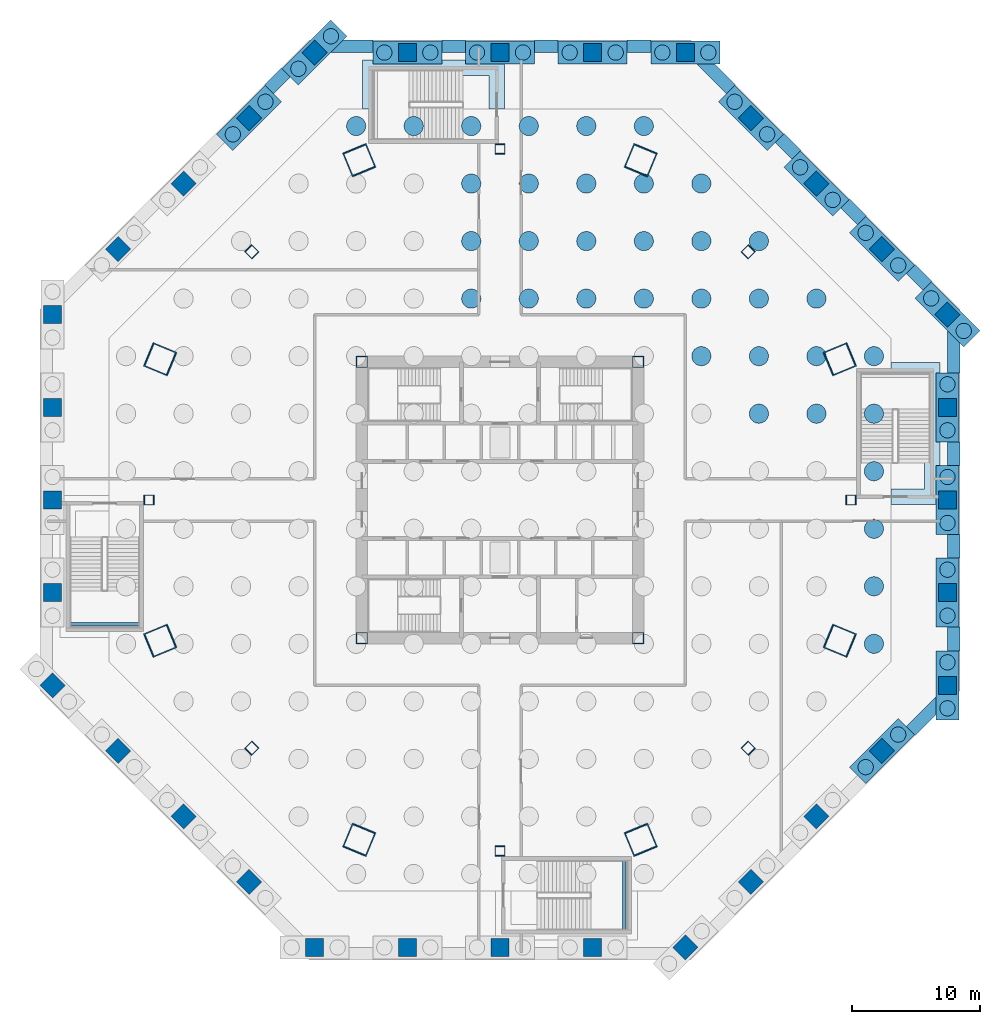
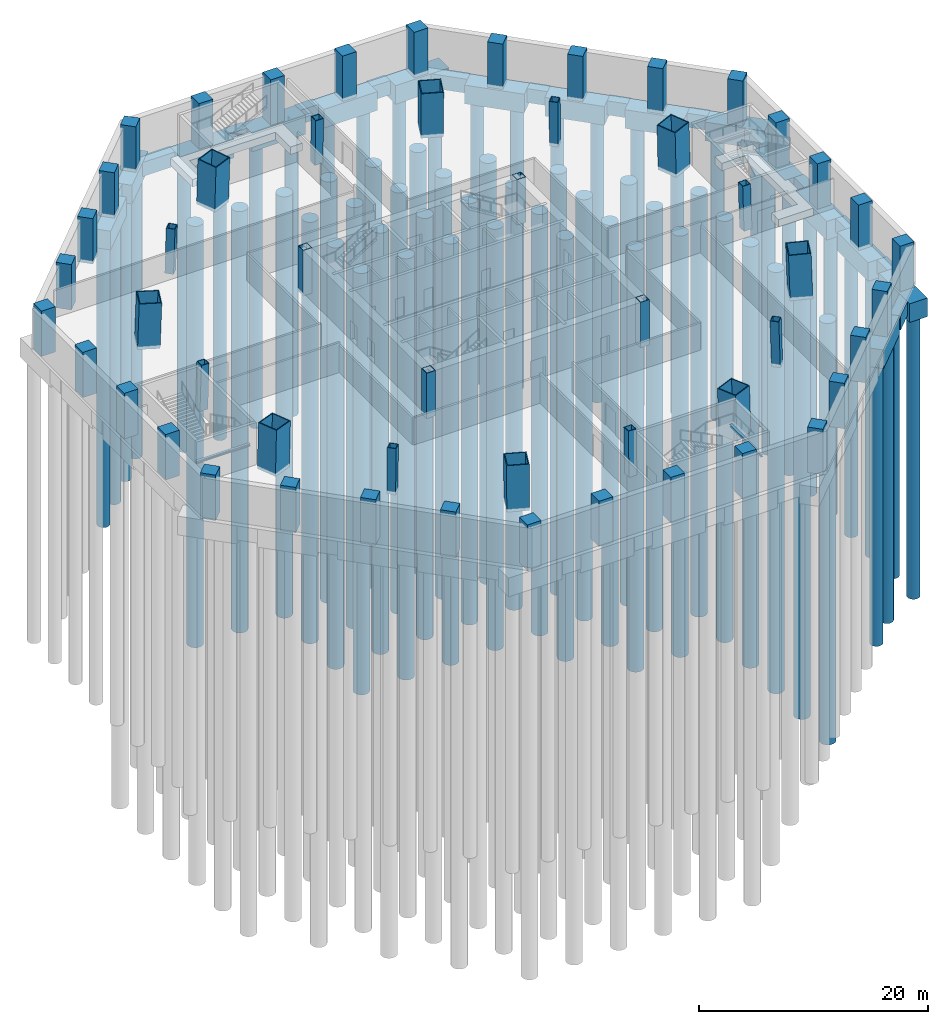
# One storey, part 2 of 11: 65 piles, 52 columns, 31 footings, 2 beams.
"""IFC4 building model written with IfcOpenShell, lengths in metres."""

import ifcopenshell
import ifcopenshell.guid

model = None  # the IFC model being written
_history = None  # IfcOwnerHistory: only IFC2X3 demands one
_inside = {}  # id of a spatial element -> (the spatial element, [elements in it])
_under = {}  # id of a project, library or spatial element -> (it, [spatial elements below it])
_declared = {}  # id of a project -> (the project, [libraries it declares])
_typed = {}  # id of a type object -> (the type object, [elements of that type])
_made_of = {}  # id of a material, layer set ... -> (it, [elements and type objects made of it])


def new_model(schema):
    """Start an empty IFC model of exactly this schema.

    Asked for "IFC4X3", IfcOpenShell would pick the latest addendum, in which some entities
    have other attributes; the version numbers below select the first issue.
    IFC2X3 requires an IfcOwnerHistory on every rooted entity: one is made here for all.
    """
    global model, _history
    if schema == "IFC4X3":
        model = ifcopenshell.file(schema_version=(4, 3, 0, 0))
    else:
        model = ifcopenshell.file(schema=schema)
    _inside.clear()
    _under.clear()
    _declared.clear()
    _typed.clear()
    _made_of.clear()
    _history = None
    if model.schema == "IFC2X3":
        org = make("IfcOrganization", Name="unknown")
        user = make(
            "IfcPersonAndOrganization",
            ThePerson=make("IfcPerson", FamilyName="unknown"),
            TheOrganization=org,
        )
        app = make(
            "IfcApplication",
            ApplicationDeveloper=org,
            Version="unknown",
            ApplicationFullName="unknown",
            ApplicationIdentifier="unknown",
        )
        _history = make(
            "IfcOwnerHistory",
            OwningUser=user,
            OwningApplication=app,
            ChangeAction="ADDED",
            CreationDate=0,
        )
    return model


def make(cls, **values):
    """One entity of the class cls with the attributes given. An attribute that is None is left unset."""
    return model.create_entity(
        cls, **{name: value for name, value in values.items() if value is not None}
    )


def rooted(cls, **values):
    """An entity with a GlobalId (a new one), such as an element, a storey or a relation."""
    return make(cls, GlobalId=ifcopenshell.guid.new(), OwnerHistory=_history, **values)


def si_unit(unit_type, name, prefix=None):
    """IfcSIUnit, for example si_unit("LENGTHUNIT", "METRE", prefix="MILLI")."""
    return make("IfcSIUnit", UnitType=unit_type, Prefix=prefix, Name=name)


def assignment(units):
    """IfcUnitAssignment: the units of a project."""
    return None if units is None else make("IfcUnitAssignment", Units=units)


def point(xyz):
    """IfcCartesianPoint."""
    return None if xyz is None else make("IfcCartesianPoint", Coordinates=xyz)


def direction(xyz):
    """IfcDirection."""
    return None if xyz is None else make("IfcDirection", DirectionRatios=xyz)


def frame(location, z_axis=None, x_axis=None):
    """IfcAxis2Placement3D, a coordinate frame: its origin and axes. An axis left out is left unset."""
    return make(
        "IfcAxis2Placement3D",
        Location=point(location),
        Axis=direction(z_axis),
        RefDirection=direction(x_axis),
    )


def frame_2d(location, x_axis=None):
    """IfcAxis2Placement2D, a coordinate frame in the plane: its origin and x axis."""
    return make(
        "IfcAxis2Placement2D", Location=point(location), RefDirection=direction(x_axis)
    )


def origin():
    """The frame at (0, 0, 0) with its axes left unset."""
    return frame((0.0, 0.0, 0.0))


def origin_2d():
    """The frame at (0, 0) in the plane with its x axis left unset."""
    return frame_2d((0.0, 0.0))


def place(relative_to, where):
    """IfcLocalPlacement: puts the frame where relative to a parent placement (None: the world)."""
    return make(
        "IfcLocalPlacement", PlacementRelTo=relative_to, RelativePlacement=where
    )


def context(
    kind, dimensions, precision=None, world=None, true_north=None, identifier=None
):
    """IfcGeometricRepresentationContext, for example the 3D "Model" context."""
    return make(
        "IfcGeometricRepresentationContext",
        ContextIdentifier=identifier,
        ContextType=kind,
        CoordinateSpaceDimension=dimensions,
        Precision=precision,
        WorldCoordinateSystem=world,
        TrueNorth=true_north,
    )


def subcontext(parent, identifier, kind, view, scale=None):
    """IfcGeometricRepresentationSubContext, for example "Body" below "Model"."""
    return make(
        "IfcGeometricRepresentationSubContext",
        ContextIdentifier=identifier,
        ContextType=kind,
        ParentContext=parent,
        TargetScale=scale,
        TargetView=view,
    )


def project(units=None, contexts=None):
    """IfcProject with its units and contexts."""
    return rooted(
        "IfcProject",
        Name="project",
        RepresentationContexts=contexts,
        UnitsInContext=assignment(units),
    )


def spatial(cls, under=None, at=None, **own):
    """A site, building, storey or space (cls), placed at a placement, below another one or the project."""
    s = rooted(cls, ObjectPlacement=at, **own)
    if under is not None:
        _under.setdefault(under.id(), (under, []))[1].append(s)
    return s


def polyline(points):
    """IfcPolyline through the points."""
    return make("IfcPolyline", Points=[point(p) for p in points])


def profile(cls, at=None, kind="AREA", **sizes):
    """A parametric profile (cls). Its sizes go by their IFC names, for example OverallWidth=200.0."""
    return make(cls, ProfileType=kind, Position=at, **sizes)


def rectangle(**sizes):
    """IfcRectangleProfileDef."""
    return profile("IfcRectangleProfileDef", **sizes)


def hollow_rectangle(**sizes):
    """IfcRectangleHollowProfileDef."""
    return profile("IfcRectangleHollowProfileDef", **sizes)


def circle(**sizes):
    """IfcCircleProfileDef."""
    return profile("IfcCircleProfileDef", **sizes)


def i_section(**sizes):
    """IfcIShapeProfileDef."""
    return profile("IfcIShapeProfileDef", **sizes)


def outline(outer, holes=None, kind="AREA"):
    """IfcArbitraryClosedProfileDef: a profile drawn as a closed curve; with holes, ...WithVoids."""
    if holes is None:
        return make("IfcArbitraryClosedProfileDef", ProfileType=kind, OuterCurve=outer)
    return make(
        "IfcArbitraryProfileDefWithVoids",
        ProfileType=kind,
        OuterCurve=outer,
        InnerCurves=holes,
    )


def extrude(swept, where, along, depth):
    """IfcExtrudedAreaSolid: the profile swept, set in the frame where, extruded along a direction by depth."""
    return make(
        "IfcExtrudedAreaSolid",
        SweptArea=swept,
        Position=where,
        ExtrudedDirection=direction(along),
        Depth=depth,
    )


def shape(context_of_items, identifier, shape_type, items):
    """IfcShapeRepresentation: the items that make up one representation, for example the "Body"."""
    return make(
        "IfcShapeRepresentation",
        ContextOfItems=context_of_items,
        RepresentationIdentifier=identifier,
        RepresentationType=shape_type,
        Items=items,
    )


def material(Name=None, Category=None):
    """IfcMaterial."""
    return make("IfcMaterial", Name=Name, Category=Category)


def layer(
    of_material, thickness, ventilated=None, Name=None, Category=None, Priority=None
):
    """IfcMaterialLayer: one layer of a wall or slab, of a material (None: an air gap)."""
    return make(
        "IfcMaterialLayer",
        Material=of_material,
        LayerThickness=thickness,
        IsVentilated=ventilated,
        Name=Name,
        Category=Category,
        Priority=Priority,
    )


def layer_set(layers, Name=None):
    """IfcMaterialLayerSet."""
    return make("IfcMaterialLayerSet", MaterialLayers=layers, LayerSetName=Name)


def material_profile(
    of_material, cross_section, Name=None, Category=None, Priority=None
):
    """IfcMaterialProfile: a cross section and its material."""
    return make(
        "IfcMaterialProfile",
        Name=Name,
        Material=of_material,
        Profile=cross_section,
        Priority=Priority,
        Category=Category,
    )


def profile_set(profiles, Name=None, composite=None):
    """IfcMaterialProfileSet."""
    return make(
        "IfcMaterialProfileSet",
        Name=Name,
        MaterialProfiles=profiles,
        CompositeProfile=composite,
    )


def made_of(thing, what):
    """Note that an element or type object is made of a material, layer set ...; save() writes the relation."""
    if what is not None:
        _made_of.setdefault(what.id(), (what, []))[1].append(thing)
    return thing


def type_object(cls, material=None, **own):
    """A type object (cls), such as IfcWallType, which elements share."""
    return made_of(rooted(cls, **own), material)


def element(
    cls,
    number,
    at=None,
    inside=None,
    cuts=None,
    type_object=None,
    material=None,
    context=None,
    identifier="Body",
    shape_type=None,
    held_by="IfcProductDefinitionShape",
    body=None,
    shapes=None,
    **own,
):
    """One element of the class cls, such as IfcWall. Its Tag is "e" and its number.

    at: its placement. inside: the storey or other place that contains it. cuts: it is an
    opening in that element (IfcRelVoidsElement). A single representation is given by context,
    identifier, shape_type and body (its items); several are given by shapes. held_by: the class
    of the entity that holds the representations. save() writes the other relations.
    """
    e = rooted(cls, Tag="e%d" % number, ObjectPlacement=at, **own)
    if body is not None:
        shapes = [shape(context, identifier, shape_type, body)]
    if shapes is not None:
        e.Representation = make(held_by, Representations=shapes)
    if inside is not None:
        _inside.setdefault(inside.id(), (inside, []))[1].append(e)
    if cuts is not None:
        rooted(
            "IfcRelVoidsElement", RelatingBuildingElement=cuts, RelatedOpeningElement=e
        )
    if type_object is not None:
        _typed.setdefault(type_object.id(), (type_object, []))[1].append(e)
    return made_of(e, material)


def aggregate(whole, parts):
    """IfcRelAggregates: a whole, such as a stair, and the parts it consists of."""
    return rooted("IfcRelAggregates", RelatingObject=whole, RelatedObjects=parts)


def save(model, path):
    """Write the relations noted so far, then the file.

    IfcRelAggregates (storeys below a building ...), IfcRelContainedInSpatialStructure (elements
    in a storey), IfcRelDefinesByType, IfcRelAssociatesMaterial and IfcRelDeclares: one each for
    every whole, place, type object, material and project.
    """
    for whole, parts in _under.values():
        aggregate(whole, parts)
    for where, things in _inside.values():
        rooted(
            "IfcRelContainedInSpatialStructure",
            RelatedElements=things,
            RelatingStructure=where,
        )
    for kind, things in _typed.values():
        rooted("IfcRelDefinesByType", RelatedObjects=things, RelatingType=kind)
    for what, things in _made_of.values():
        rooted("IfcRelAssociatesMaterial", RelatedObjects=things, RelatingMaterial=what)
    for by, libraries in _declared.values():
        rooted("IfcRelDeclares", RelatingContext=by, RelatedDefinitions=libraries)
    model.write(path)


model = new_model("IFC4")

# Units and contexts
model_context = context("Model", 3, precision=1e-05, world=origin(), true_north=direction((0.0, 1.0)))
body_context = subcontext(model_context, "Body", "Model", "MODEL_VIEW")
ifc_project = project(units=[si_unit("LENGTHUNIT", "METRE"), si_unit("AREAUNIT", "SQUARE_METRE"), si_unit("VOLUMEUNIT", "CUBIC_METRE"), si_unit("PLANEANGLEUNIT", "RADIAN"), si_unit("MASSUNIT", "GRAM", prefix="KILO")], contexts=[model_context])

# Site, building, storey
site_placement = place(None, origin())
site = spatial("IfcSite", under=ifc_project, at=site_placement, CompositionType="ELEMENT")
building_placement = place(site_placement, origin())
building = spatial("IfcBuilding", under=site, at=building_placement, Name="Mashrafa Tower", CompositionType="ELEMENT")
storey_placement = place(building_placement, frame((0.0, 0.0, -9.0)))
storey = spatial("IfcBuildingStorey", under=building, at=storey_placement, Name="B2", CompositionType="ELEMENT", Elevation=-9.0)

# Piles
ifc_material_1 = material(Name="Concrete C40/50", Category="concrete")
ifc_material_profile_1 = material_profile(ifc_material_1, circle(Radius=0.60009765625, at=origin_2d()), Name="1200 DIA")
ifc_profile_set_1 = profile_set([ifc_material_profile_1], Name="Concrete C40/50")
pile_type_1 = type_object("IfcPileType", Name="Bored pile 1200", PredefinedType="BORED", material=ifc_profile_set_1)
for number, where, z_axis, x_axis, name in (
    (1, (35.0, -16.29736328125, -2.35009765625), (0.0, 0.0, -1.0), (1.0, 0.0, 0.0), "Pile PC01-1"),
    (2, (35.0, -12.697509765625, -2.35009765625), (0.0, 0.0, -1.0), (1.0, 0.0, 0.0), "Pile PC01-2"),
    (3, (35.0, -9.048828125, -2.35009765625), (0.0, 0.0, -1.0), (1.0, 0.0, 0.0), "Pile PC02-1"),
    (4, (35.0, -5.44873046875, -2.35009765625), (0.0, 0.0, -1.0), (1.0, 0.0, 0.0), "Pile PC02-2"),
    (5, (35.0, -1.800048828125, -2.35009765625), (0.0, 0.0, -1.0), (1.0, 0.0, 0.0), "Pile PC03-1"),
    (6, (35.0, 1.800048828125, -2.35009765625), (0.0, 0.0, -1.0), (1.0, 0.0, 0.0), "Pile PC03-2"),
    (7, (35.0, 5.44873046875, -2.35009765625), (0.0, 0.0, -1.0), (1.0, 0.0, 0.0), "Pile PC04-1"),
    (8, (35.0, 9.048828125, -2.35009765625), (0.0, 0.0, -1.0), (1.0, 0.0, 0.0), "Pile PC04-2"),
    (9, (36.272705078125, 13.224609375, -2.35009765625), (0.0, 0.0, -1.0), (1.0, 0.0, 0.0), "Pile PC05-1"),
    (10, (33.727294921875, 15.770263671875, -2.35009765625), (0.0, 0.0, -1.0), (1.0, 0.0, 0.0), "Pile PC05-2"),
    (11, (31.147216796875, 18.350341796875, -2.35009765625), (0.0, 0.0, -1.0), (1.0, 0.0, 0.0), "Pile PC06-1"),
    (12, (28.6015625, 20.89599609375, -2.35009765625), (0.0, 0.0, -1.0), (1.0, 0.0, 0.0), "Pile PC06-2"),
    (13, (26.021484375, 23.475830078125, -2.35009765625), (0.0, 0.0, -1.0), (1.0, 0.0, 0.0), "Pile PC07-1"),
    (14, (23.475830078125, 26.021484375, -2.35009765625), (0.0, 0.0, -1.0), (1.0, 0.0, 0.0), "Pile PC07-2"),
    (15, (20.89599609375, 28.6015625, -2.35009765625), (0.0, 0.0, -1.0), (1.0, 0.0, 0.0), "Pile PC08-1"),
    (16, (18.350341796875, 31.147216796875, -2.35009765625), (0.0, 0.0, -1.0), (1.0, 0.0, 0.0), "Pile PC08-2"),
    (17, (16.29736328125, 35.0, -2.35009765625), (0.0, 0.0, -1.0), (1.0, 0.0, 0.0), "Pile PC09-1"),
    (18, (12.697509765625, 35.0, -2.35009765625), (0.0, 0.0, -1.0), (1.0, 0.0, 0.0), "Pile PC09-2"),
    (19, (9.048828125, 35.0, -2.35009765625), (0.0, 0.0, -1.0), (1.0, 0.0, 0.0), "Pile PC10-1"),
    (20, (5.44873046875, 35.0, -2.35009765625), (0.0, 0.0, -1.0), (1.0, 0.0, 0.0), "Pile PC10-2"),
    (21, (1.800048828125, 35.0, -2.35009765625), (0.0, 0.0, -1.0), (1.0, 0.0, 0.0), "Pile PC11-1"),
    (22, (-1.800048828125, 35.0, -2.35009765625), (0.0, 0.0, -1.0), (1.0, 0.0, 0.0), "Pile PC11-2"),
    (23, (-5.44873046875, 35.0, -2.35009765625), (0.0, 0.0, -1.0), (1.0, 0.0, 0.0), "Pile PC12-1"),
    (24, (-9.048828125, 35.0, -2.35009765625), (0.0, 0.0, -1.0), (1.0, 0.0, 0.0), "Pile PC12-2"),
    (25, (-13.224609375, 36.272705078125, -2.35009765625), (0.0, 0.0, -1.0), (1.0, 0.0, 0.0), "Pile PC13-1"),
    (26, (-15.770263671875, 33.727294921875, -2.35009765625), (0.0, 0.0, -1.0), (1.0, 0.0, 0.0), "Pile PC13-2"),
    (27, (-18.350341796875, 31.147216796875, -2.35009765625), (0.0, 0.0, -1.0), (1.0, 0.0, 0.0), "Pile PC14-1"),
    (28, (-20.89599609375, 28.6015625, -2.35009765625), (0.0, 0.0, -1.0), (1.0, 0.0, 0.0), "Pile PC14-2"),
    (29, (28.6015625, -20.89599609375, -2.35009765625), (0.0, 0.0, -1.0), (1.0, 0.0, 0.0), "Pile PC32-1"),
    (30, (31.147216796875, -18.350341796875, -2.35009765625), (0.0, 0.0, -1.0), (1.0, 0.0, 0.0), "Pile PC32-2"),
):
    element("IfcPile", number, at=place(storey_placement, frame(where, z_axis=z_axis, x_axis=x_axis)), inside=storey, type_object=pile_type_1, Name=name, PredefinedType="BORED", context=body_context, shape_type="SweptSolid", body=[
        extrude(circle(Radius=0.60009765625, at=origin_2d()), origin(), (0.0, 0.0, 1.0), 30.0),
    ])
ifc_material_2 = material(Name="Concrete C40/50", Category="concrete")
ifc_material_profile_2 = material_profile(ifc_material_2, circle(Radius=0.75, at=origin_2d()), Name="1500 DIA")
ifc_profile_set_2 = profile_set([ifc_material_profile_2], Name="Concrete C40/50")
pile_type_2 = type_object("IfcPileType", Name="Bored pile 1500", PredefinedType="BORED", material=ifc_profile_set_2)
for number, where, z_axis, x_axis, name in (
    (31, (29.25, -11.25, -3.85009765625), (0.0, 0.0, -1.0), (1.0, 0.0, 0.0), "Raft pile 050"),
    (32, (29.25, -6.75, -3.85009765625), (0.0, 0.0, -1.0), (1.0, 0.0, 0.0), "Raft pile 064"),
    (33, (29.25, -2.25, -3.85009765625), (0.0, 0.0, -1.0), (1.0, 0.0, 0.0), "Raft pile 078"),
    (34, (29.25, 2.25, -3.85009765625), (0.0, 0.0, -1.0), (1.0, 0.0, 0.0), "Raft pile 092"),
    (35, (20.25, 6.75, -3.85009765625), (0.0, 0.0, -1.0), (1.0, 0.0, 0.0), "Raft pile 104"),
    (36, (24.75, 6.75, -3.85009765625), (0.0, 0.0, -1.0), (1.0, 0.0, 0.0), "Raft pile 105"),
    (37, (29.25, 6.75, -3.85009765625), (0.0, 0.0, -1.0), (1.0, 0.0, 0.0), "Raft pile 106"),
    (38, (15.75, 11.25, -3.85009765625), (0.0, 0.0, -1.0), (1.0, 0.0, 0.0), "Raft pile 117"),
    (39, (20.25, 11.25, -3.85009765625), (0.0, 0.0, -1.0), (1.0, 0.0, 0.0), "Raft pile 118"),
    (40, (24.75, 11.25, -3.85009765625), (0.0, 0.0, -1.0), (1.0, 0.0, 0.0), "Raft pile 119"),
    (41, (29.25, 11.25, -3.85009765625), (0.0, 0.0, -1.0), (1.0, 0.0, 0.0), "Raft pile 120"),
    (42, (-2.25, 15.75, -3.85009765625), (0.0, 0.0, -1.0), (1.0, 0.0, 0.0), "Raft pile 126"),
    (43, (2.25, 15.75, -3.85009765625), (0.0, 0.0, -1.0), (1.0, 0.0, 0.0), "Raft pile 127"),
    (44, (6.75, 15.75, -3.85009765625), (0.0, 0.0, -1.0), (1.0, 0.0, 0.0), "Raft pile 128"),
    (45, (11.25, 15.75, -3.85009765625), (0.0, 0.0, -1.0), (1.0, 0.0, 0.0), "Raft pile 129"),
    (46, (15.75, 15.75, -3.85009765625), (0.0, 0.0, -1.0), (1.0, 0.0, 0.0), "Raft pile 130"),
    (47, (20.25, 15.75, -3.85009765625), (0.0, 0.0, -1.0), (1.0, 0.0, 0.0), "Raft pile 131"),
    (48, (24.75, 15.75, -3.85009765625), (0.0, 0.0, -1.0), (1.0, 0.0, 0.0), "Raft pile 132"),
    (49, (-2.25, 20.25, -3.85009765625), (0.0, 0.0, -1.0), (1.0, 0.0, 0.0), "Raft pile 137"),
    (50, (2.25, 20.25, -3.85009765625), (0.0, 0.0, -1.0), (1.0, 0.0, 0.0), "Raft pile 138"),
    (51, (6.75, 20.25, -3.85009765625), (0.0, 0.0, -1.0), (1.0, 0.0, 0.0), "Raft pile 139"),
    (52, (11.25, 20.25, -3.85009765625), (0.0, 0.0, -1.0), (1.0, 0.0, 0.0), "Raft pile 140"),
    (53, (15.75, 20.25, -3.85009765625), (0.0, 0.0, -1.0), (1.0, 0.0, 0.0), "Raft pile 141"),
    (54, (20.25, 20.25, -3.85009765625), (0.0, 0.0, -1.0), (1.0, 0.0, 0.0), "Raft pile 142"),
    (55, (-2.25, 24.75, -3.85009765625), (0.0, 0.0, -1.0), (1.0, 0.0, 0.0), "Raft pile 146"),
    (56, (2.25, 24.75, -3.85009765625), (0.0, 0.0, -1.0), (1.0, 0.0, 0.0), "Raft pile 147"),
    (57, (6.75, 24.75, -3.85009765625), (0.0, 0.0, -1.0), (1.0, 0.0, 0.0), "Raft pile 148"),
    (58, (11.25, 24.75, -3.85009765625), (0.0, 0.0, -1.0), (1.0, 0.0, 0.0), "Raft pile 149"),
    (59, (15.75, 24.75, -3.85009765625), (0.0, 0.0, -1.0), (1.0, 0.0, 0.0), "Raft pile 150"),
    (60, (-11.25, 29.25, -3.85009765625), (0.0, 0.0, -1.0), (1.0, 0.0, 0.0), "Raft pile 151"),
    (61, (-6.75, 29.25, -3.85009765625), (0.0, 0.0, -1.0), (1.0, 0.0, 0.0), "Raft pile 152"),
    (62, (-2.25, 29.25, -3.85009765625), (0.0, 0.0, -1.0), (1.0, 0.0, 0.0), "Raft pile 153"),
    (63, (2.25, 29.25, -3.85009765625), (0.0, 0.0, -1.0), (1.0, 0.0, 0.0), "Raft pile 154"),
    (64, (6.75, 29.25, -3.85009765625), (0.0, 0.0, -1.0), (1.0, 0.0, 0.0), "Raft pile 155"),
    (65, (11.25, 29.25, -3.85009765625), (0.0, 0.0, -1.0), (1.0, 0.0, 0.0), "Raft pile 156"),
):
    element("IfcPile", number, at=place(storey_placement, frame(where, z_axis=z_axis, x_axis=x_axis)), inside=storey, type_object=pile_type_2, Name=name, PredefinedType="BORED", context=body_context, shape_type="SweptSolid", body=[
        extrude(circle(Radius=0.75, at=origin_2d()), origin(), (0.0, 0.0, 1.0), 45.0),
    ])

# Footings
ifc_material_3 = material(Name="Concrete C40/50", Category="concrete")
footing_type_1 = type_object("IfcFootingType", Name="Ground beam 1000x1500", PredefinedType="STRIP_FOOTING", material=ifc_material_3)
footing_1_placement = place(storey_placement, frame((0.0, 0.0, -1.85009765625)))
element("IfcFooting", 66, at=footing_1_placement, inside=storey, type_object=footing_type_1, Name="Perimeter ground beam east face 1", PredefinedType="STRIP_FOOTING", context=body_context, shape_type="SweptSolid", body=[
    extrude(outline(polyline([(35.0, -9.94873046875), (36.0, -9.94873046875), (36.0, -11.79736328125), (35.0, -11.79736328125), (35.0, -9.94873046875)])), origin(), (0.0, 0.0, 1.0), 1.5),
])
footing_2_placement = place(storey_placement, frame((0.0, 0.0, -1.85009765625)))
element("IfcFooting", 67, at=footing_2_placement, inside=storey, type_object=footing_type_1, Name="Perimeter ground beam east face 2", PredefinedType="STRIP_FOOTING", context=body_context, shape_type="SweptSolid", body=[
    extrude(outline(polyline([(35.0, -2.699951171875), (36.0, -2.699951171875), (36.0, -4.548828125), (35.0, -4.548828125), (35.0, -2.699951171875)])), origin(), (0.0, 0.0, 1.0), 1.5),
])
footing_3_placement = place(storey_placement, frame((0.0, 0.0, -1.85009765625)))
element("IfcFooting", 68, at=footing_3_placement, inside=storey, type_object=footing_type_1, Name="Perimeter ground beam east face 3", PredefinedType="STRIP_FOOTING", context=body_context, shape_type="SweptSolid", body=[
    extrude(outline(polyline([(35.0, 4.548828125), (36.0, 4.548828125), (36.0, 2.699951171875), (35.0, 2.699951171875), (35.0, 4.548828125)])), origin(), (0.0, 0.0, 1.0), 1.5),
])
footing_4_placement = place(storey_placement, frame((0.0, 0.0, -1.85009765625)))
element("IfcFooting", 69, at=footing_4_placement, inside=storey, type_object=footing_type_1, Name="Perimeter ground beam east face 4", PredefinedType="STRIP_FOOTING", context=body_context, shape_type="SweptSolid", body=[
    extrude(outline(polyline([(35.0, 13.224609375), (36.0, 12.224609375), (36.0, 9.94873046875), (35.0, 9.94873046875), (35.0, 13.224609375)])), origin(), (0.0, 0.0, 1.0), 1.5),
])
footing_5_placement = place(storey_placement, frame((0.0, 0.0, -1.85009765625)))
element("IfcFooting", 70, at=footing_5_placement, inside=storey, type_object=footing_type_1, Name="Perimeter ground beam north-east face 1", PredefinedType="STRIP_FOOTING", context=body_context, shape_type="SweptSolid", body=[
    extrude(outline(polyline([(31.783447265625, 17.7138671875), (32.49072265625, 18.421142578125), (33.7978515625, 17.11376953125), (33.0908203125, 16.40673828125), (31.783447265625, 17.7138671875)])), origin(), (0.0, 0.0, 1.0), 1.5),
])
footing_6_placement = place(storey_placement, frame((0.0, 0.0, -1.85009765625)))
element("IfcFooting", 71, at=footing_6_placement, inside=storey, type_object=footing_type_1, Name="Perimeter ground beam north-east face 2", PredefinedType="STRIP_FOOTING", context=body_context, shape_type="SweptSolid", body=[
    extrude(outline(polyline([(26.657958984375, 22.839599609375), (27.364990234375, 23.546630859375), (28.67236328125, 22.239501953125), (27.965087890625, 21.5322265625), (26.657958984375, 22.839599609375)])), origin(), (0.0, 0.0, 1.0), 1.5),
])
footing_7_placement = place(storey_placement, frame((0.0, 0.0, -1.85009765625)))
element("IfcFooting", 72, at=footing_7_placement, inside=storey, type_object=footing_type_1, Name="Perimeter ground beam north-east face 3", PredefinedType="STRIP_FOOTING", context=body_context, shape_type="SweptSolid", body=[
    extrude(outline(polyline([(21.5322265625, 27.965087890625), (22.239501953125, 28.67236328125), (23.546630859375, 27.364990234375), (22.839599609375, 26.657958984375), (21.5322265625, 27.965087890625)])), origin(), (0.0, 0.0, 1.0), 1.5),
])
footing_8_placement = place(storey_placement, frame((0.0, 0.0, -1.85009765625)))
element("IfcFooting", 73, at=footing_8_placement, inside=storey, type_object=footing_type_1, Name="Perimeter ground beam north-east face 4", PredefinedType="STRIP_FOOTING", context=body_context, shape_type="SweptSolid", body=[
    extrude(outline(polyline([(15.3974609375, 34.10009765625), (16.811767578125, 34.10009765625), (18.421142578125, 32.49072265625), (17.7138671875, 31.783447265625), (15.3974609375, 34.10009765625)])), origin(), (0.0, 0.0, 1.0), 1.5),
])
footing_9_placement = place(storey_placement, frame((0.0, 0.0, -1.85009765625)))
element("IfcFooting", 74, at=footing_9_placement, inside=storey, type_object=footing_type_1, Name="Perimeter ground beam north face 1", PredefinedType="STRIP_FOOTING", context=body_context, shape_type="SweptSolid", body=[
    extrude(outline(polyline([(9.94873046875, 35.0), (9.94873046875, 36.0), (11.79736328125, 36.0), (11.79736328125, 35.0), (9.94873046875, 35.0)])), origin(), (0.0, 0.0, 1.0), 1.5),
])
footing_10_placement = place(storey_placement, frame((0.0, 0.0, -1.85009765625)))
element("IfcFooting", 75, at=footing_10_placement, inside=storey, type_object=footing_type_1, Name="Perimeter ground beam north face 2", PredefinedType="STRIP_FOOTING", context=body_context, shape_type="SweptSolid", body=[
    extrude(outline(polyline([(2.699951171875, 35.0), (2.699951171875, 36.0), (4.548828125, 36.0), (4.548828125, 35.0), (2.699951171875, 35.0)])), origin(), (0.0, 0.0, 1.0), 1.5),
])
footing_11_placement = place(storey_placement, frame((0.0, 0.0, -1.85009765625)))
element("IfcFooting", 76, at=footing_11_placement, inside=storey, type_object=footing_type_1, Name="Perimeter ground beam north face 3", PredefinedType="STRIP_FOOTING", context=body_context, shape_type="SweptSolid", body=[
    extrude(outline(polyline([(-4.548828125, 35.0), (-4.548828125, 36.0), (-2.699951171875, 36.0), (-2.699951171875, 35.0), (-4.548828125, 35.0)])), origin(), (0.0, 0.0, 1.0), 1.5),
])
footing_12_placement = place(storey_placement, frame((0.0, 0.0, -1.85009765625)))
element("IfcFooting", 77, at=footing_12_placement, inside=storey, type_object=footing_type_1, Name="Perimeter ground beam north face 4", PredefinedType="STRIP_FOOTING", context=body_context, shape_type="SweptSolid", body=[
    extrude(outline(polyline([(-13.224609375, 35.0), (-12.224609375, 36.0), (-9.94873046875, 36.0), (-9.94873046875, 35.0), (-13.224609375, 35.0)])), origin(), (0.0, 0.0, 1.0), 1.5),
])
footing_13_placement = place(storey_placement, frame((0.0, 0.0, -1.85009765625)))
element("IfcFooting", 78, at=footing_13_placement, inside=storey, type_object=footing_type_1, Name="Perimeter ground beam north-west face 1", PredefinedType="STRIP_FOOTING", context=body_context, shape_type="SweptSolid", body=[
    extrude(outline(polyline([(-17.7138671875, 31.783447265625), (-18.421142578125, 32.49072265625), (-17.11376953125, 33.7978515625), (-16.40673828125, 33.0908203125), (-17.7138671875, 31.783447265625)])), origin(), (0.0, 0.0, 1.0), 1.5),
])
footing_14_placement = place(storey_placement, frame((0.0, 0.0, -1.85009765625)))
element("IfcFooting", 79, at=footing_14_placement, inside=storey, type_object=footing_type_1, Name="Perimeter ground beam south-east face 4", PredefinedType="STRIP_FOOTING", context=body_context, shape_type="SweptSolid", body=[
    extrude(outline(polyline([(34.10009765625, -15.3974609375), (34.10009765625, -16.811767578125), (32.49072265625, -18.421142578125), (31.783447265625, -17.7138671875), (34.10009765625, -15.3974609375)])), origin(), (0.0, 0.0, 1.0), 1.5),
])
ifc_material_4 = material(Name="Concrete C40/50", Category="concrete")
footing_type_2 = type_object("IfcFootingType", Name="Pile cap PC2", PredefinedType="PILE_CAP", material=ifc_material_4)
for number, where, z_axis, x_axis, name in (
    (80, (35.0, -14.49755859375, -2.35009765625), (0.0, 0.0, 1.0), (0.0, 1.0, 0.0), "Pile cap PC01"),
    (81, (35.0, -7.248779296875, -2.35009765625), (0.0, 0.0, 1.0), (0.0, 1.0, 0.0), "Pile cap PC02"),
    (82, (35.0, 0.0, -2.35009765625), (0.0, 0.0, 1.0), (0.0, 1.0, 0.0), "Pile cap PC03"),
    (83, (35.0, 7.248779296875, -2.35009765625), (0.0, 0.0, 1.0), (0.0, 1.0, 0.0), "Pile cap PC04"),
    (84, (35.0, 14.49755859375, -2.35009765625), (0.0, 0.0, 1.0), (-0.707106781187, 0.707106781187, 0.0), "Pile cap PC05"),
    (85, (29.874267578125, 19.623046875, -2.35009765625), (0.0, 0.0, 1.0), (-0.707106781187, 0.707106781187, 0.0), "Pile cap PC06"),
    (86, (24.748779296875, 24.748779296875, -2.35009765625), (0.0, 0.0, 1.0), (-0.707106781187, 0.707106781187, 0.0), "Pile cap PC07"),
    (87, (19.623046875, 29.874267578125, -2.35009765625), (0.0, 0.0, 1.0), (-0.707106781187, 0.707106781187, 0.0), "Pile cap PC08"),
    (88, (14.49755859375, 35.0, -2.35009765625), (0.0, 0.0, 1.0), (-1.0, 0.0, 0.0), "Pile cap PC09"),
    (89, (7.248779296875, 35.0, -2.35009765625), (0.0, 0.0, 1.0), (-1.0, 0.0, 0.0), "Pile cap PC10"),
    (90, (0.0, 35.0, -2.35009765625), (0.0, 0.0, 1.0), (-1.0, 0.0, 0.0), "Pile cap PC11"),
    (91, (-7.248779296875, 35.0, -2.35009765625), (0.0, 0.0, 1.0), (-1.0, 0.0, 0.0), "Pile cap PC12"),
    (92, (-14.49755859375, 35.0, -2.35009765625), (0.0, 0.0, 1.0), (-0.707106781187, -0.707106781187, 0.0), "Pile cap PC13"),
    (93, (-19.623046875, 29.874267578125, -2.35009765625), (0.0, 0.0, 1.0), (-0.707106781187, -0.707106781187, 0.0), "Pile cap PC14"),
    (94, (29.874267578125, -19.623046875, -2.35009765625), (0.0, 0.0, 1.0), (0.707106781187, 0.707106781187, 0.0), "Pile cap PC32"),
):
    element("IfcFooting", number, at=place(storey_placement, frame(where, z_axis=z_axis, x_axis=x_axis)), inside=storey, type_object=footing_type_2, Name=name, PredefinedType="PILE_CAP", context=body_context, shape_type="SweptSolid", body=[
        extrude(rectangle(XDim=5.39990234375, YDim=1.800048828125, at=origin_2d()), origin(), (0.0, 0.0, 1.0), 2.0),
    ])
ifc_material_5 = material(Name="Concrete C40/50", Category="concrete")
ifc_layer = layer(ifc_material_5, 0.800048828125)
ifc_layer_set = layer_set([ifc_layer], Name="Strip footing 1200x800")
footing_type_3 = type_object("IfcFootingType", Name="Strip footing 1200x800", PredefinedType="STRIP_FOOTING", material=ifc_layer_set)
footing_15_placement = place(storey_placement, frame((0.0, 0.0, -1.14990234375)))
element("IfcFooting", 95, at=footing_15_placement, inside=storey, type_object=footing_type_3, Name="Stair P1 core strip footing 1", PredefinedType="STRIP_FOOTING", context=body_context, shape_type="SweptSolid", body=[
    extrude(outline(polyline([(34.39990234375, 10.75), (34.39990234375, 9.94970703125), (34.10009765625, 9.94970703125), (34.099365234375, 9.949462890625), (34.09912109375, 9.94873046875), (34.09912109375, 4.548583984375), (34.099365234375, 4.5478515625), (34.10009765625, 4.5478515625), (34.39990234375, 4.5478515625), (34.39990234375, 2.700927734375), (34.10009765625, 2.700927734375), (34.099365234375, 2.70068359375), (34.09912109375, 2.7001953125), (34.09912109375, -0.35009765625), (30.580322265625, -0.35009765625), (30.580322265625, 0.85009765625), (33.199951171875, 0.85009765625), (33.199951171875, 9.550048828125), (30.580322265625, 9.550048828125), (30.580322265625, 10.75), (34.39990234375, 10.75)])), origin(), (0.0, 0.0, 1.0), 0.7998046875),
])
footing_16_placement = place(storey_placement, frame((0.0, 0.0, -1.14990234375)))
element("IfcFooting", 96, at=footing_16_placement, inside=storey, type_object=footing_type_3, Name="Stair P2 core strip footing 1", PredefinedType="STRIP_FOOTING", context=body_context, shape_type="SweptSolid", body=[
    extrude(outline(polyline([(-10.75, 34.39990234375), (-9.94970703125, 34.39990234375), (-9.94970703125, 34.10009765625), (-9.949462890625, 34.099365234375), (-9.94873046875, 34.09912109375), (-4.548583984375, 34.09912109375), (-4.5478515625, 34.099365234375), (-4.5478515625, 34.10009765625), (-4.5478515625, 34.39990234375), (-2.700927734375, 34.39990234375), (-2.700927734375, 34.10009765625), (-2.70068359375, 34.099365234375), (-2.7001953125, 34.09912109375), (0.35009765625, 34.09912109375), (0.35009765625, 30.580322265625), (-0.85009765625, 30.580322265625), (-0.85009765625, 33.199951171875), (-9.550048828125, 33.199951171875), (-9.550048828125, 30.580322265625), (-10.75, 30.580322265625), (-10.75, 34.39990234375)])), origin(), (0.0, 0.0, 1.0), 0.7998046875),
])

# Columns
ifc_material_6 = material(Name="Steel ASTM A572 Gr 50", Category="steel")
ifc_material_profile_3 = material_profile(ifc_material_6, hollow_rectangle(XDim=0.89990234375, YDim=0.89990234375, WallThickness=0.06005859375, at=origin_2d()), Name="BOX900X900X60")
ifc_profile_set_3 = profile_set([ifc_material_profile_3], Name="Steel ASTM A572 Gr 50")
column_type_1 = type_object("IfcColumnType", Name="Core corner column BOX900X900X60", PredefinedType="COLUMN", material=ifc_profile_set_3)
for number, where, z_axis, x_axis, name in (
    (97, (10.800048828125, 10.800048828125, -0.35009765625), (0.0, 0.0, 1.0), (1.0, 0.0, 0.0), "Core corner column CC-NE B2"),
    (98, (-10.800048828125, 10.800048828125, -0.35009765625), (0.0, 0.0, 1.0), (1.0, 0.0, 0.0), "Core corner column CC-NW B2"),
    (99, (-10.800048828125, -10.800048828125, -0.35009765625), (0.0, 0.0, 1.0), (1.0, 0.0, 0.0), "Core corner column CC-SW B2"),
    (100, (10.800048828125, -10.800048828125, -0.35009765625), (0.0, 0.0, 1.0), (1.0, 0.0, 0.0), "Core corner column CC-SE B2"),
):
    element("IfcColumn", number, at=place(storey_placement, frame(where, z_axis=z_axis, x_axis=x_axis)), inside=storey, type_object=column_type_1, Name=name, PredefinedType="COLUMN", context=body_context, shape_type="SweptSolid", body=[
        extrude(hollow_rectangle(XDim=0.89990234375, YDim=0.89990234375, WallThickness=0.06005859375, at=origin_2d()), origin(), (0.0, 0.0, 1.0), 4.85009765625),
    ])
ifc_material_7 = material(Name="Steel ASTM A572 Gr 50", Category="steel")
ifc_material_profile_4 = material_profile(ifc_material_7, hollow_rectangle(XDim=2.0, YDim=2.0, WallThickness=0.090087890625, at=origin_2d()), Name="BOX2000X2000X90")
ifc_profile_set_4 = profile_set([ifc_material_profile_4], Name="Steel ASTM A572 Gr 50")
column_type_2 = type_object("IfcColumnType", Name="Mega column CFST BOX2000X2000X90", PredefinedType="COLUMN", material=ifc_profile_set_4)
for number, where, z_axis, x_axis, name in (
    (101, (26.60107421875, 11.0185546875, -0.35009765625), (-0.02827628346, -0.011723085491, 0.999531400737), (0.382980813568, -0.923756297104, 0.0), "Mega column MC1 B2"),
    (102, (11.0185546875, 26.60107421875, -0.35009765625), (-0.011723085491, -0.02827628346, 0.999531400737), (0.923756297104, -0.382980813568, 0.0), "Mega column MC2 B2"),
    (103, (-11.0185546875, 26.60107421875, -0.35009765625), (0.011723085491, -0.02827628346, 0.999531400737), (0.923756297104, 0.382980813568, 0.0), "Mega column MC3 B2"),
    (104, (-26.60107421875, 11.0185546875, -0.35009765625), (0.02827628346, -0.011723085491, 0.999531400737), (0.382980813568, 0.923756297104, 0.0), "Mega column MC4 B2"),
    (105, (-26.60107421875, -11.0185546875, -0.35009765625), (0.02827628346, 0.011723085491, 0.999531400737), (-0.382980813568, 0.923756297104, 0.0), "Mega column MC5 B2"),
    (106, (-11.0185546875, -26.60107421875, -0.35009765625), (0.011723085491, 0.02827628346, 0.999531400737), (-0.923756297104, 0.382980813568, 0.0), "Mega column MC6 B2"),
    (107, (11.0185546875, -26.60107421875, -0.35009765625), (-0.011723085491, 0.02827628346, 0.999531400737), (-0.923756297104, -0.382980813568, 0.0), "Mega column MC7 B2"),
    (108, (26.60107421875, -11.0185546875, -0.35009765625), (-0.02827628346, 0.011723085491, 0.999531400737), (-0.382980813568, -0.923756297104, 0.0), "Mega column MC8 B2"),
):
    element("IfcColumn", number, at=place(storey_placement, frame(where, z_axis=z_axis, x_axis=x_axis)), inside=storey, type_object=column_type_2, Name=name, PredefinedType="COLUMN", context=body_context, shape_type="SweptSolid", body=[
        extrude(hollow_rectangle(XDim=2.0, YDim=2.0, WallThickness=0.090087890625, at=origin_2d()), origin(), (0.0, 0.0, 1.0), 4.852294921875),
    ])
ifc_material_8 = material(Name="Concrete C50/60", Category="concrete")
ifc_material_profile_5 = material_profile(ifc_material_8, rectangle(XDim=1.39990234375, YDim=1.39990234375, at=origin_2d()), Name="RC1400X1400")
ifc_profile_set_5 = profile_set([ifc_material_profile_5], Name="Concrete C50/60")
column_type_3 = type_object("IfcColumnType", Name="Podium column RC1400X1400", PredefinedType="COLUMN", material=ifc_profile_set_5)
for number, where, z_axis, x_axis, name in (
    (109, (35.0, -14.49755859375, -0.35009765625), (0.0, 0.0, 1.0), (1.0, 0.0, 0.0), "Podium column PC01 B2"),
    (110, (35.0, -7.248779296875, -0.35009765625), (0.0, 0.0, 1.0), (1.0, 0.0, 0.0), "Podium column PC02 B2"),
    (111, (35.0, 0.0, -0.35009765625), (0.0, 0.0, 1.0), (1.0, 0.0, 0.0), "Podium column PC03 B2"),
    (112, (35.0, 7.248779296875, -0.35009765625), (0.0, 0.0, 1.0), (1.0, 0.0, 0.0), "Podium column PC04 B2"),
    (113, (35.0, 14.49755859375, -0.35009765625), (0.0, 0.0, 1.0), (0.707106781187, 0.707106781187, 0.0), "Podium column PC05 B2"),
    (114, (29.874267578125, 19.623046875, -0.35009765625), (0.0, 0.0, 1.0), (0.707106781187, 0.707106781187, 0.0), "Podium column PC06 B2"),
    (115, (24.748779296875, 24.748779296875, -0.35009765625), (0.0, 0.0, 1.0), (0.707106781187, 0.707106781187, 0.0), "Podium column PC07 B2"),
    (116, (19.623046875, 29.874267578125, -0.35009765625), (0.0, 0.0, 1.0), (0.707106781187, 0.707106781187, 0.0), "Podium column PC08 B2"),
    (117, (14.49755859375, 35.0, -0.35009765625), (0.0, 0.0, 1.0), (1.0, 0.0, 0.0), "Podium column PC09 B2"),
    (118, (7.248779296875, 35.0, -0.35009765625), (0.0, 0.0, 1.0), (1.0, 0.0, 0.0), "Podium column PC10 B2"),
    (119, (0.0, 35.0, -0.35009765625), (0.0, 0.0, 1.0), (1.0, 0.0, 0.0), "Podium column PC11 B2"),
    (120, (-7.248779296875, 35.0, -0.35009765625), (0.0, 0.0, 1.0), (1.0, 0.0, 0.0), "Podium column PC12 B2"),
    (121, (-14.49755859375, 35.0, -0.35009765625), (0.0, 0.0, 1.0), (0.707106781187, 0.707106781187, 0.0), "Podium column PC13 B2"),
    (122, (-19.623046875, 29.874267578125, -0.35009765625), (0.0, 0.0, 1.0), (0.707106781187, 0.707106781187, 0.0), "Podium column PC14 B2"),
    (123, (-24.748779296875, 24.748779296875, -0.35009765625), (0.0, 0.0, 1.0), (0.707106781187, 0.707106781187, 0.0), "Podium column PC15 B2"),
    (124, (-29.874267578125, 19.623046875, -0.35009765625), (0.0, 0.0, 1.0), (0.707106781187, 0.707106781187, 0.0), "Podium column PC16 B2"),
    (125, (-35.0, 14.49755859375, -0.35009765625), (0.0, 0.0, 1.0), (1.0, 0.0, 0.0), "Podium column PC17 B2"),
    (126, (-35.0, 7.248779296875, -0.35009765625), (0.0, 0.0, 1.0), (1.0, 0.0, 0.0), "Podium column PC18 B2"),
    (127, (-35.0, 0.0, -0.35009765625), (0.0, 0.0, 1.0), (1.0, 0.0, 0.0), "Podium column PC19 B2"),
    (128, (-35.0, -7.248779296875, -0.35009765625), (0.0, 0.0, 1.0), (1.0, 0.0, 0.0), "Podium column PC20 B2"),
    (129, (-35.0, -14.49755859375, -0.35009765625), (0.0, 0.0, 1.0), (0.707106781187, 0.707106781187, 0.0), "Podium column PC21 B2"),
    (130, (-29.874267578125, -19.623046875, -0.35009765625), (0.0, 0.0, 1.0), (0.707106781187, 0.707106781187, 0.0), "Podium column PC22 B2"),
    (131, (-24.748779296875, -24.748779296875, -0.35009765625), (0.0, 0.0, 1.0), (0.707106781187, 0.707106781187, 0.0), "Podium column PC23 B2"),
    (132, (-19.623046875, -29.874267578125, -0.35009765625), (0.0, 0.0, 1.0), (0.707106781187, 0.707106781187, 0.0), "Podium column PC24 B2"),
    (133, (-14.49755859375, -35.0, -0.35009765625), (0.0, 0.0, 1.0), (1.0, 0.0, 0.0), "Podium column PC25 B2"),
    (134, (-7.248779296875, -35.0, -0.35009765625), (0.0, 0.0, 1.0), (1.0, 0.0, 0.0), "Podium column PC26 B2"),
    (135, (0.0, -35.0, -0.35009765625), (0.0, 0.0, 1.0), (1.0, 0.0, 0.0), "Podium column PC27 B2"),
    (136, (7.248779296875, -35.0, -0.35009765625), (0.0, 0.0, 1.0), (1.0, 0.0, 0.0), "Podium column PC28 B2"),
    (137, (14.49755859375, -35.0, -0.35009765625), (0.0, 0.0, 1.0), (0.707106781187, 0.707106781187, 0.0), "Podium column PC29 B2"),
    (138, (19.623046875, -29.874267578125, -0.35009765625), (0.0, 0.0, 1.0), (0.707106781187, 0.707106781187, 0.0), "Podium column PC30 B2"),
    (139, (24.748779296875, -24.748779296875, -0.35009765625), (0.0, 0.0, 1.0), (0.707106781187, 0.707106781187, 0.0), "Podium column PC31 B2"),
    (140, (29.874267578125, -19.623046875, -0.35009765625), (0.0, 0.0, 1.0), (0.707106781187, 0.707106781187, 0.0), "Podium column PC32 B2"),
):
    element("IfcColumn", number, at=place(storey_placement, frame(where, z_axis=z_axis, x_axis=x_axis)), inside=storey, type_object=column_type_3, Name=name, PredefinedType="COLUMN", context=body_context, shape_type="SweptSolid", body=[
        extrude(rectangle(XDim=1.39990234375, YDim=1.39990234375, at=origin_2d()), origin(), (0.0, 0.0, 1.0), 4.85009765625),
    ])
ifc_material_9 = material(Name="Steel ASTM A572 Gr 50", Category="steel")
ifc_material_profile_6 = material_profile(ifc_material_9, hollow_rectangle(XDim=0.800048828125, YDim=0.800048828125, WallThickness=0.050048828125, at=origin_2d()), Name="BOX800X800X50")
ifc_profile_set_6 = profile_set([ifc_material_profile_6], Name="Steel ASTM A572 Gr 50")
column_type_4 = type_object("IfcColumnType", Name="Secondary column BOX800X800X50", PredefinedType="COLUMN", material=ifc_profile_set_6)
for number, where, z_axis, x_axis, name in (
    (141, (27.479248046875, 0.0, -0.35009765625), (-0.028278226675, 0.0, 0.999600090984), (0.0, -1.0, 0.0), "Secondary column SC1 B2"),
    (142, (19.4306640625, 19.4306640625, -0.35009765625), (-0.019975916168, -0.019975916168, 0.999600883126), (0.707106781187, -0.707106781187, 0.0), "Secondary column SC2 B2"),
    (143, (0.0, 27.479248046875, -0.35009765625), (0.0, -0.028278226675, 0.999600090984), (1.0, 0.0, 0.0), "Secondary column SC3 B2"),
    (144, (-19.4306640625, 19.4306640625, -0.35009765625), (0.019975916168, -0.019975916168, 0.999600883126), (0.707106781187, 0.707106781187, 0.0), "Secondary column SC4 B2"),
    (145, (-27.479248046875, 0.0, -0.35009765625), (0.028278226675, 0.0, 0.999600090984), (0.0, 1.0, 0.0), "Secondary column SC5 B2"),
    (146, (-19.4306640625, -19.4306640625, -0.35009765625), (0.019975916168, 0.019975916168, 0.999600883126), (-0.707106781187, 0.707106781187, 0.0), "Secondary column SC6 B2"),
    (147, (0.0, -27.479248046875, -0.35009765625), (0.0, 0.028278226675, 0.999600090984), (-1.0, 0.0, 0.0), "Secondary column SC7 B2"),
    (148, (19.4306640625, -19.4306640625, -0.35009765625), (-0.019975916168, 0.019975916168, 0.999600883126), (-0.707106781187, -0.707106781187, 0.0), "Secondary column SC8 B2"),
):
    element("IfcColumn", number, at=place(storey_placement, frame(where, z_axis=z_axis, x_axis=x_axis)), inside=storey, type_object=column_type_4, Name=name, PredefinedType="COLUMN", context=body_context, shape_type="SweptSolid", body=[
        extrude(hollow_rectangle(XDim=0.800048828125, YDim=0.800048828125, WallThickness=0.050048828125, at=origin_2d()), origin(), (0.0, 0.0, 1.0), 4.85205078125),
    ])

# Beams
ifc_material_10 = material(Name="Steel ASTM A992", Category="steel")
ifc_material_profile_7 = material_profile(ifc_material_10, i_section(OverallWidth=0.25390625, OverallDepth=0.25390625, WebThickness=0.008544921875, FlangeThickness=0.01416015625, FilletRadius=0.010009765625, at=origin_2d()), Name="W10X49")
ifc_profile_set_7 = profile_set([ifc_material_profile_7], Name="Steel ASTM A992")
beam_type = type_object("IfcBeamType", Name="Hoistway beam W10X49", PredefinedType="BEAM", material=ifc_profile_set_7)
for number, where, z_axis, x_axis, name in (
    (149, (-33.64990234375, -9.699951171875, 1.923095703125), (1.0, 0.0, 0.0), (0.0, 1.0, 0.0), "Stair P3 landing beam B2"),
    (150, (9.699951171875, -33.64990234375, 1.923095703125), (0.0, 1.0, 0.0), (-1.0, 0.0, 0.0), "Stair P4 landing beam B2"),
):
    element("IfcBeam", number, at=place(storey_placement, frame(where, z_axis=z_axis, x_axis=x_axis)), inside=storey, type_object=beam_type, Name=name, PredefinedType="BEAM", context=body_context, shape_type="SweptSolid", body=[
        extrude(i_section(OverallWidth=0.25390625, OverallDepth=0.25390625, WebThickness=0.008544921875, FlangeThickness=0.01416015625, FilletRadius=0.010009765625, at=origin_2d()), origin(), (0.0, 0.0, 1.0), 5.449951171875),
    ])

save(model, "model.ifc")
